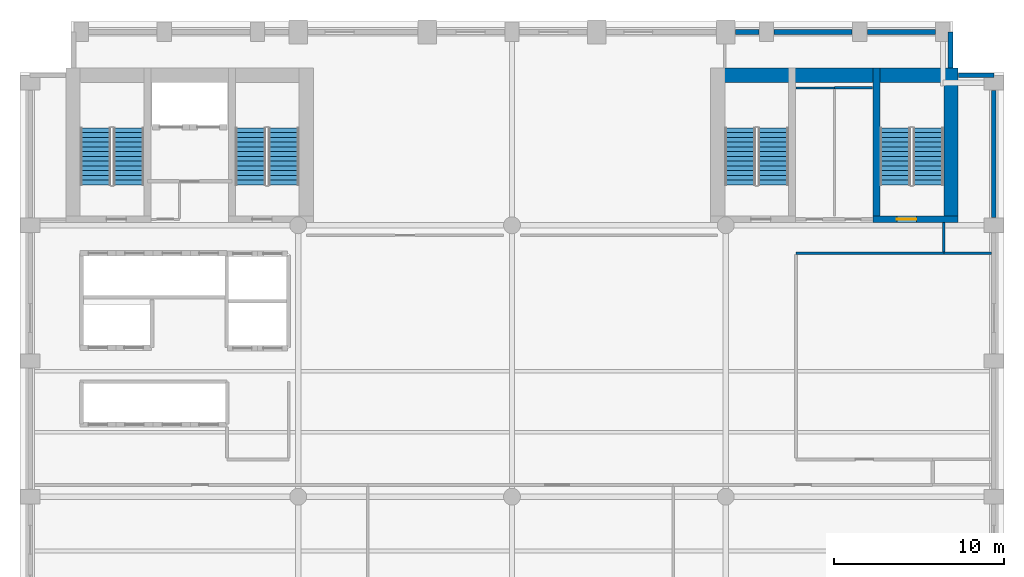
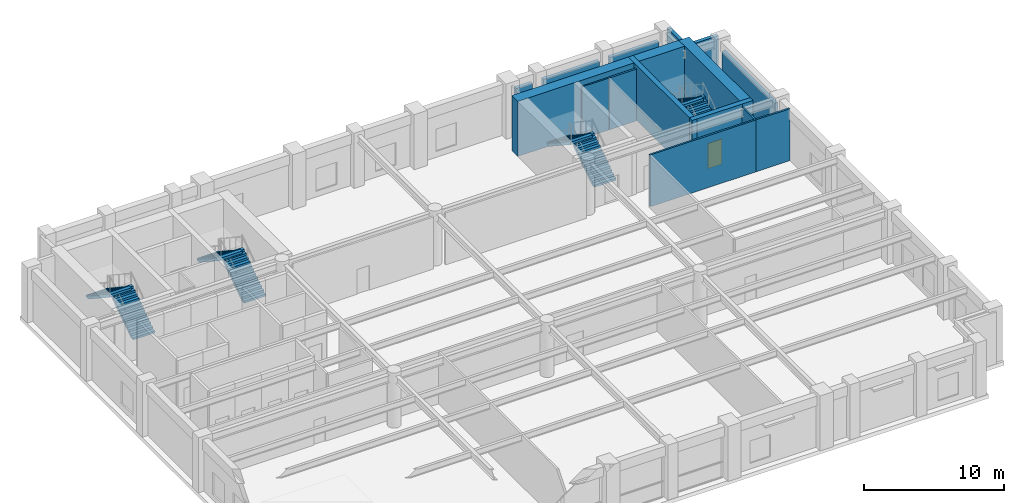
# One storey, part 7 of 10: 15 walls, 8 stair flights, 1 door, 1 opening, 4 elements without a shape of their own.
"""IFC4 building model written with IfcOpenShell, lengths in metres."""

from ifc_helpers import new_model, si_unit, direction, frame, frame_2d, origin, place, context, subcontext, project, spatial, polyline, rectangle, outline, extrude, material, layer, layer_set, type_object, element, fill, aggregate, save


model = new_model("IFC4")

# Units and contexts
model_context = context("Model", 3, precision=1e-05, world=origin(), true_north=direction((0.0, 1.0)))
body_context = subcontext(model_context, "Body", "Model", "MODEL_VIEW")
ifc_project = project(units=[si_unit("LENGTHUNIT", "METRE"), si_unit("AREAUNIT", "SQUARE_METRE"), si_unit("VOLUMEUNIT", "CUBIC_METRE"), si_unit("PLANEANGLEUNIT", "RADIAN"), si_unit("MASSUNIT", "GRAM", prefix="KILO")], contexts=[model_context])

# Site, building, storey
site_placement = place(None, origin())
site = spatial("IfcSite", under=ifc_project, at=site_placement, CompositionType="ELEMENT")
building_placement = place(site_placement, origin())
building = spatial("IfcBuilding", under=site, at=building_placement, Name="Sulina Concourse Tower", CompositionType="ELEMENT")
storey_placement = place(building_placement, frame((0.0, 0.0, 87.800048828125)))
storey = spatial("IfcBuildingStorey", under=building, at=storey_placement, Name="L21", CompositionType="ELEMENT", Elevation=87.800048828125)

# Walls
ifc_material_1 = material(Name="Gypsum board on steel stud", Category="steel")
ifc_layer_1 = layer(ifc_material_1, 0.14990234375)
ifc_layer_set_1 = layer_set([ifc_layer_1], Name="Gypsum board on steel stud")
wall_type_1 = type_object("IfcWallType", Name="Inter-Tenancy Acoustic Partition 150mm", PredefinedType="PARTITIONING", material=ifc_layer_set_1)
wall_1_placement = place(storey_placement, frame((45.75, 32.35009765625, 0.0), z_axis=(0.0, 0.0, 1.0), x_axis=(1.0, 0.0, 0.0)))
element("IfcWall", 1, at=wall_1_placement, inside=storey, type_object=wall_type_1, Name="L21 interior partition 008", PredefinedType="PARTITIONING", context=body_context, shape_type="SweptSolid", body=[
    extrude(rectangle(XDim=8.699951171875, YDim=0.14990234375, at=frame_2d((4.35009765625, 0.0))), origin(), (0.0, 0.0, 1.0), 4.52490234375),
])
wall_2_placement = place(storey_placement, frame((54.449951171875, 32.35009765625, 0.0), z_axis=(0.0, 0.0, 1.0), x_axis=(1.0, 0.0, 0.0)))
element("IfcWall", 2, at=wall_2_placement, inside=storey, type_object=wall_type_1, Name="L21 interior partition 009", PredefinedType="PARTITIONING", context=body_context, shape_type="SweptSolid", body=[
    extrude(rectangle(XDim=2.81005859375, YDim=0.14990234375, at=frame_2d((1.405029296875, 0.0))), origin(), (0.0, 0.0, 1.0), 4.52490234375),
])
wall_3_placement = place(storey_placement, frame((48.0, 42.10009765625, 0.0), z_axis=(0.0, 0.0, 1.0), x_axis=(1.0, 0.0, 0.0)))
element("IfcWall", 3, at=wall_3_placement, inside=storey, type_object=wall_type_1, Name="L21 interior partition 015", PredefinedType="PARTITIONING", context=body_context, shape_type="SweptSolid", body=[
    extrude(rectangle(XDim=2.25, YDim=0.14990234375, at=frame_2d((1.125, 0.0))), origin(), (0.0, 0.0, 1.0), 4.52490234375),
])
wall_4_placement = place(storey_placement, frame((54.449951171875, 32.425048828125, 0.0), z_axis=(0.0, 0.0, 1.0), x_axis=(0.0, 1.0, 0.0)))
element("IfcWall", 4, at=wall_4_placement, inside=storey, type_object=wall_type_1, Name="L21 interior partition 025", PredefinedType="PARTITIONING", context=body_context, shape_type="SweptSolid", body=[
    extrude(rectangle(XDim=1.724853515625, YDim=0.14990234375, at=frame_2d((0.8623046875, 0.0))), origin(), (0.0, 0.0, 1.0), 4.52490234375),
])

# Wall, opening, door
ifc_material_2 = material(Name="Concrete C60/75", Category="concrete")
ifc_layer_2 = layer(ifc_material_2, 0.39990234375)
ifc_layer_set_2 = layer_set([ifc_layer_2], Name="Concrete C60/75")
wall_type_2 = type_object("IfcWallType", Name="Protected Stair Core Shear Wall 400mm", PredefinedType="SHEAR", material=ifc_layer_set_2)
wall_5_placement = place(storey_placement, frame((50.2900390625, 34.35009765625, 0.0), z_axis=(0.0, 0.0, 1.0), x_axis=(1.0, 0.0, 0.0)))
wall_5 = element("IfcWall", 5, at=wall_5_placement, inside=storey, type_object=wall_type_2, Name="L21 east core shear wall CW-ES2", PredefinedType="SHEAR", context=body_context, shape_type="SweptSolid", body=[
    extrude(rectangle(XDim=5.010009765625, YDim=0.39990234375, at=frame_2d((2.5048828125, 0.0))), origin(), (0.0, 0.0, 1.0), 4.800048828125),
])
opening_placement = place(wall_5_placement, frame((1.39990234375, 0.0, 0.0)))
opening = element("IfcOpeningElement", 6, at=opening_placement, cuts=wall_5, Name="Opening DR-60", PredefinedType="OPENING", context=body_context, shape_type="SweptSolid", body=[
    extrude(rectangle(XDim=1.14990234375, YDim=2.199951171875, at=frame_2d((0.574951171875, 1.10009765625))), frame((0.0, 0.2099609375, 0.0), z_axis=(0.0, -1.0, 0.0), x_axis=(1.0, 0.0, 0.0)), (0.0, 0.0, 1.0), 0.419921875),
])
ifc_material_3 = material(Name="Galvanised steel acoustic fire leaf", Category="steel")
ifc_layer_3 = layer(ifc_material_3, 0.054931640625)
ifc_layer_set_3 = layer_set([ifc_layer_3], Name="Galvanised steel acoustic fire leaf")
door_type = type_object("IfcDoorType", Name="Protected Exit Stair Fire Door 1150x2200", OperationType="NOTDEFINED", PredefinedType="DOOR", material=ifc_layer_set_3)
door_placement = place(opening_placement, origin())
door = element("IfcDoor", 7, at=door_placement, inside=storey, type_object=door_type, Name="L21 stair ST-4 south lobby fire door", OperationType="SINGLE_SWING_RIGHT", OverallHeight=2.199951171875, OverallWidth=1.14990234375, PredefinedType="DOOR", context=body_context, shape_type="SweptSolid", body=[
    extrude(rectangle(XDim=1.14990234375, YDim=2.199951171875, at=frame_2d((0.574951171875, 1.10009765625))), frame((0.0, 0.02490234375, 0.0), z_axis=(0.0, -1.0, 0.0), x_axis=(1.0, 0.0, 0.0)), (0.0, 0.0, 1.0), 0.050048828125),
])
fill(opening, door)

# Walls
wall_6_placement = place(storey_placement, frame((50.489990234375, 34.14990234375, 0.0), z_axis=(0.0, 0.0, 1.0), x_axis=(0.0, 1.0, 0.0)))
element("IfcWall", 8, at=wall_6_placement, inside=storey, type_object=wall_type_2, Name="L21 east core shear wall SW-ST4", PredefinedType="SHEAR", context=body_context, shape_type="SweptSolid", body=[
    extrude(rectangle(XDim=9.130126953125, YDim=0.39990234375, at=frame_2d((4.56494140625, 0.0))), origin(), (0.0, 0.0, 1.0), 4.800048828125),
])
ifc_material_4 = material(Name="Concrete C60/75", Category="concrete")
ifc_layer_4 = layer(ifc_material_4, 0.85009765625)
ifc_layer_set_4 = layer_set([ifc_layer_4], Name="Concrete C60/75")
wall_type_3 = type_object("IfcWallType", Name="Rear Core Shear Wall 850mm", PredefinedType="SHEAR", material=ifc_layer_set_4)
wall_7_placement = place(storey_placement, frame((40.699951171875, 42.85498046875, 0.0), z_axis=(0.0, 0.0, 1.0), x_axis=(1.0, 0.0, 0.0)))
element("IfcWall", 9, at=wall_7_placement, inside=storey, type_object=wall_type_3, Name="L21 east core shear wall CW-EN", PredefinedType="SHEAR", context=body_context, shape_type="SweptSolid", body=[
    extrude(rectangle(XDim=14.60009765625, YDim=0.85009765625, at=frame_2d((7.300048828125, 0.0))), origin(), (0.0, 0.0, 1.0), 4.800048828125),
])
wall_8_placement = place(storey_placement, frame((54.875, 34.14990234375, 0.0), z_axis=(0.0, 0.0, 1.0), x_axis=(0.0, 1.0, 0.0)))
element("IfcWall", 10, at=wall_8_placement, inside=storey, type_object=wall_type_3, Name="L21 east core shear wall CW-EE", PredefinedType="SHEAR", context=body_context, shape_type="SweptSolid", body=[
    extrude(rectangle(XDim=9.130126953125, YDim=0.85009765625, at=frame_2d((4.56494140625, 0.0))), origin(), (0.0, 0.0, 1.0), 4.800048828125),
])
ifc_material_5 = material(Name="Precast concrete C50/60", Category="concrete")
ifc_layer_5 = layer(ifc_material_5, 0.280029296875)
ifc_layer_set_5 = layer_set([ifc_layer_5], Name="Precast concrete C50/60")
wall_type_4 = type_object("IfcWallType", Name="Typical Precast Masonry-Frame Facade Wall 280mm", PredefinedType="SOLIDWALL", material=ifc_layer_set_5)
wall_9_placement = place(storey_placement, frame((42.169921875, 45.39990234375, 0.0), z_axis=(0.0, 0.0, 1.0), x_axis=(1.0, 0.0, 0.0)))
element("IfcWall", 11, at=wall_9_placement, inside=storey, type_object=wall_type_4, Name="L21 exterior precast wall N8", PredefinedType="SOLIDWALL", context=body_context, shape_type="SweptSolid", body=[
    extrude(rectangle(XDim=1.385009765625, YDim=0.280029296875, at=frame_2d((0.6923828125, 0.0))), origin(), (0.0, 0.0, 1.0), 3.675048828125),
])
wall_10_placement = place(storey_placement, frame((44.445068359375, 45.39990234375, 0.0), z_axis=(0.0, 0.0, 1.0), x_axis=(1.0, 0.0, 0.0)))
element("IfcWall", 12, at=wall_10_placement, inside=storey, type_object=wall_type_4, Name="L21 exterior precast wall N9", PredefinedType="SOLIDWALL", context=body_context, shape_type="SweptSolid", body=[
    extrude(rectangle(XDim=4.60986328125, YDim=0.280029296875, at=frame_2d((2.304931640625, 0.0))), origin(), (0.0, 0.0, 1.0), 3.675048828125),
])
wall_11_placement = place(storey_placement, frame((49.945068359375, 45.39990234375, 0.0), z_axis=(0.0, 0.0, 1.0), x_axis=(1.0, 0.0, 0.0)))
element("IfcWall", 13, at=wall_11_placement, inside=storey, type_object=wall_type_4, Name="L21 exterior precast wall N10", PredefinedType="SOLIDWALL", context=body_context, shape_type="SweptSolid", body=[
    extrude(rectangle(XDim=4.010009765625, YDim=0.280029296875, at=frame_2d((2.0048828125, 0.0))), origin(), (0.0, 0.0, 1.0), 3.675048828125),
])
wall_12_placement = place(storey_placement, frame((57.39990234375, 41.955078125, 0.0), z_axis=(0.0, 0.0, 1.0), x_axis=(0.0, -1.0, 0.0)))
element("IfcWall", 14, at=wall_12_placement, inside=storey, type_object=wall_type_4, Name="L21 exterior precast wall E5", PredefinedType="SOLIDWALL", context=body_context, shape_type="SweptSolid", body=[
    extrude(rectangle(XDim=7.510009765625, YDim=0.280029296875, at=frame_2d((3.7548828125, 0.0))), origin(), (0.0, 0.0, 1.0), 3.675048828125),
])
wall_13_placement = place(storey_placement, frame((54.844970703125, 45.39990234375, 0.0), z_axis=(0.0, 0.0, 1.0), x_axis=(0.0, -1.0, 0.0)))
element("IfcWall", 15, at=wall_13_placement, inside=storey, type_object=wall_type_4, Name="L21 exterior precast wall CNE1", PredefinedType="SOLIDWALL", context=body_context, shape_type="SweptSolid", body=[
    extrude(rectangle(XDim=2.114990234375, YDim=0.280029296875, at=frame_2d((1.0576171875, 0.0))), origin(), (0.0, 0.0, 1.0), 4.52490234375),
])
wall_14_placement = place(storey_placement, frame((55.304931640625, 42.844970703125, 0.0), z_axis=(0.0, 0.0, 1.0), x_axis=(1.0, 0.0, 0.0)))
element("IfcWall", 16, at=wall_14_placement, inside=storey, type_object=wall_type_4, Name="L21 exterior precast wall CNE2", PredefinedType="SOLIDWALL", context=body_context, shape_type="SweptSolid", body=[
    extrude(rectangle(XDim=2.094970703125, YDim=0.280029296875, at=frame_2d((1.04736328125, 0.0))), origin(), (0.0, 0.0, 1.0), 4.52490234375),
])
ifc_material_6 = material(Name="Gypsum board on steel stud", Category="steel")
ifc_layer_6 = layer(ifc_material_6, 0.125)
ifc_layer_set_6 = layer_set([ifc_layer_6], Name="Gypsum board on steel stud")
wall_type_5 = type_object("IfcWallType", Name="Wet-Area Moisture-Resistant Partition 125mm", PredefinedType="PARTITIONING", material=ifc_layer_set_6)
wall_15_placement = place(storey_placement, frame((45.75, 42.10009765625, 0.0), z_axis=(0.0, 0.0, 1.0), x_axis=(1.0, 0.0, 0.0)))
element("IfcWall", 17, at=wall_15_placement, inside=storey, type_object=wall_type_5, Name="L21 interior partition 014", PredefinedType="PARTITIONING", context=body_context, shape_type="SweptSolid", body=[
    extrude(rectangle(XDim=2.25, YDim=0.125, at=frame_2d((1.125, 0.0))), origin(), (0.0, 0.0, 1.0), 4.52490234375),
])

# Stair, stair flights
ifc_material_7 = material(Name="Concrete C50/60", Category="concrete")
stair_type_1 = type_object("IfcStairType", Name="Portal & Podium Core Exit Stair 1820mm", PredefinedType="HALF_TURN_STAIR", material=ifc_material_7)
stair_1_placement = place(storey_placement, origin())
stair_1 = element("IfcStair", 18, at=stair_1_placement, inside=storey, type_object=stair_type_1, Name="L21 ST-3", PredefinedType="HALF_TURN_STAIR")
ifc_material_8 = material(Name="Concrete C50/60", Category="concrete")
stair_flight_type_1 = type_object("IfcStairFlightType", Name="Portal & Podium Core Exit Stair 1820mm Flight", PredefinedType="STRAIGHT", material=ifc_material_8)
stair_flight_1_placement = place(storey_placement, frame((44.405029296875, 36.375, 0.0), z_axis=(0.0, 0.0, 1.0), x_axis=(0.0, 1.0, 0.0)))
stair_flight_1 = element("IfcStairFlight", 19, at=stair_flight_1_placement, type_object=stair_flight_type_1, Name="ST-3 flight 1", NumberOfRisers=13, NumberOfTreads=12, PredefinedType="STRAIGHT", RiserHeight=0.184615385, TreadLength=0.28, context=body_context, shape_type="SweptSolid", body=[
    extrude(outline(polyline([(0.0, 0.0), (0.0, 0.1845703125), (0.280029296875, 0.1845703125), (0.280029296875, 0.369140625), (0.56005859375, 0.369140625), (0.56005859375, 0.553955078125), (0.840087890625, 0.553955078125), (0.840087890625, 0.738525390625), (1.1201171875, 0.738525390625), (1.1201171875, 0.923095703125), (1.39990234375, 0.923095703125), (1.39990234375, 1.107666015625), (1.679931640625, 1.107666015625), (1.679931640625, 1.292236328125), (1.9599609375, 1.292236328125), (1.9599609375, 1.476806640625), (2.239990234375, 1.476806640625), (2.239990234375, 1.66162109375), (2.52001953125, 1.66162109375), (2.52001953125, 1.84619140625), (2.800048828125, 1.84619140625), (2.800048828125, 2.03076171875), (3.080078125, 2.03076171875), (3.080078125, 2.21533203125), (3.360107421875, 2.21533203125), (3.360107421875, 2.39990234375), (3.360107421875, 1.999755859375), (0.326904296875, 0.0), (0.0, 0.0)])), frame((0.0, 0.89990234375, 0.0), z_axis=(0.0, -1.0, 0.0), x_axis=(1.0, 0.0, 0.0)), (0.0, 0.0, 1.0), 1.800048828125),
])
stair_flight_2_placement = place(storey_placement, frame((42.455078125, 39.735107421875, 2.39990234375), z_axis=(0.0, 0.0, 1.0), x_axis=(0.0, -1.0, 0.0)))
stair_flight_2 = element("IfcStairFlight", 20, at=stair_flight_2_placement, type_object=stair_flight_type_1, Name="ST-3 flight 2", NumberOfRisers=13, NumberOfTreads=12, PredefinedType="STRAIGHT", RiserHeight=0.184615385, TreadLength=0.28, context=body_context, shape_type="SweptSolid", body=[
    extrude(outline(polyline([(0.0, 0.0), (0.0, 0.1845703125), (0.280029296875, 0.1845703125), (0.280029296875, 0.369140625), (0.56005859375, 0.369140625), (0.56005859375, 0.553955078125), (0.840087890625, 0.553955078125), (0.840087890625, 0.738525390625), (1.1201171875, 0.738525390625), (1.1201171875, 0.923095703125), (1.39990234375, 0.923095703125), (1.39990234375, 1.107666015625), (1.679931640625, 1.107666015625), (1.679931640625, 1.292236328125), (1.9599609375, 1.292236328125), (1.9599609375, 1.476806640625), (2.239990234375, 1.476806640625), (2.239990234375, 1.66162109375), (2.52001953125, 1.66162109375), (2.52001953125, 1.84619140625), (2.800048828125, 1.84619140625), (2.800048828125, 2.03076171875), (3.080078125, 2.03076171875), (3.080078125, 2.21533203125), (3.360107421875, 2.21533203125), (3.360107421875, 2.39990234375), (3.360107421875, 1.999755859375), (0.326904296875, 0.0), (0.0, 0.0)])), frame((0.0, 0.89990234375, 0.0), z_axis=(0.0, -1.0, 0.0), x_axis=(1.0, 0.0, 0.0)), (0.0, 0.0, 1.0), 1.800048828125),
])
aggregate(stair_1, [stair_flight_1, stair_flight_2])

stair_2_placement = place(storey_placement, origin())
stair_2 = element("IfcStair", 21, at=stair_2_placement, inside=storey, type_object=stair_type_1, Name="L21 ST-4", PredefinedType="HALF_TURN_STAIR")
stair_flight_3_placement = place(storey_placement, frame((53.544921875, 36.375, 0.0), z_axis=(0.0, 0.0, 1.0), x_axis=(0.0, 1.0, 0.0)))
stair_flight_3 = element("IfcStairFlight", 22, at=stair_flight_3_placement, type_object=stair_flight_type_1, Name="ST-4 flight 1", NumberOfRisers=13, NumberOfTreads=12, PredefinedType="STRAIGHT", RiserHeight=0.184615385, TreadLength=0.28, context=body_context, shape_type="SweptSolid", body=[
    extrude(outline(polyline([(0.0, 0.0), (0.0, 0.1845703125), (0.280029296875, 0.1845703125), (0.280029296875, 0.369140625), (0.56005859375, 0.369140625), (0.56005859375, 0.553955078125), (0.840087890625, 0.553955078125), (0.840087890625, 0.738525390625), (1.1201171875, 0.738525390625), (1.1201171875, 0.923095703125), (1.39990234375, 0.923095703125), (1.39990234375, 1.107666015625), (1.679931640625, 1.107666015625), (1.679931640625, 1.292236328125), (1.9599609375, 1.292236328125), (1.9599609375, 1.476806640625), (2.239990234375, 1.476806640625), (2.239990234375, 1.66162109375), (2.52001953125, 1.66162109375), (2.52001953125, 1.84619140625), (2.800048828125, 1.84619140625), (2.800048828125, 2.03076171875), (3.080078125, 2.03076171875), (3.080078125, 2.21533203125), (3.360107421875, 2.21533203125), (3.360107421875, 2.39990234375), (3.360107421875, 1.999755859375), (0.326904296875, 0.0), (0.0, 0.0)])), frame((0.0, 0.89990234375, 0.0), z_axis=(0.0, -1.0, 0.0), x_axis=(1.0, 0.0, 0.0)), (0.0, 0.0, 1.0), 1.800048828125),
])
stair_flight_4_placement = place(storey_placement, frame((51.594970703125, 39.735107421875, 2.39990234375), z_axis=(0.0, 0.0, 1.0), x_axis=(0.0, -1.0, 0.0)))
stair_flight_4 = element("IfcStairFlight", 23, at=stair_flight_4_placement, type_object=stair_flight_type_1, Name="ST-4 flight 2", NumberOfRisers=13, NumberOfTreads=12, PredefinedType="STRAIGHT", RiserHeight=0.184615385, TreadLength=0.28, context=body_context, shape_type="SweptSolid", body=[
    extrude(outline(polyline([(0.0, 0.0), (0.0, 0.1845703125), (0.280029296875, 0.1845703125), (0.280029296875, 0.369140625), (0.56005859375, 0.369140625), (0.56005859375, 0.553955078125), (0.840087890625, 0.553955078125), (0.840087890625, 0.738525390625), (1.1201171875, 0.738525390625), (1.1201171875, 0.923095703125), (1.39990234375, 0.923095703125), (1.39990234375, 1.107666015625), (1.679931640625, 1.107666015625), (1.679931640625, 1.292236328125), (1.9599609375, 1.292236328125), (1.9599609375, 1.476806640625), (2.239990234375, 1.476806640625), (2.239990234375, 1.66162109375), (2.52001953125, 1.66162109375), (2.52001953125, 1.84619140625), (2.800048828125, 1.84619140625), (2.800048828125, 2.03076171875), (3.080078125, 2.03076171875), (3.080078125, 2.21533203125), (3.360107421875, 2.21533203125), (3.360107421875, 2.39990234375), (3.360107421875, 1.999755859375), (0.326904296875, 0.0), (0.0, 0.0)])), frame((0.0, 0.89990234375, 0.0), z_axis=(0.0, -1.0, 0.0), x_axis=(1.0, 0.0, 0.0)), (0.0, 0.0, 1.0), 1.800048828125),
])
aggregate(stair_2, [stair_flight_3, stair_flight_4])

ifc_material_9 = material(Name="Concrete C50/60", Category="concrete")
stair_type_2 = type_object("IfcStairType", Name="Primary Core Dog-Leg Exit Stair 1800mm", PredefinedType="HALF_TURN_STAIR", material=ifc_material_9)
stair_3_placement = place(storey_placement, origin())
stair_3 = element("IfcStair", 24, at=stair_3_placement, inside=storey, type_object=stair_type_2, Name="L21 ST-1", PredefinedType="HALF_TURN_STAIR")
ifc_material_10 = material(Name="Concrete C50/60", Category="concrete")
stair_flight_type_2 = type_object("IfcStairFlightType", Name="Primary Core Dog-Leg Exit Stair 1800mm Flight", PredefinedType="STRAIGHT", material=ifc_material_10)
stair_flight_5_placement = place(storey_placement, frame((6.405029296875, 36.375, 0.0), z_axis=(0.0, 0.0, 1.0), x_axis=(0.0, 1.0, 0.0)))
stair_flight_5 = element("IfcStairFlight", 25, at=stair_flight_5_placement, type_object=stair_flight_type_2, Name="ST-1 flight 1", NumberOfRisers=13, NumberOfTreads=12, PredefinedType="STRAIGHT", RiserHeight=0.184615385, TreadLength=0.28, context=body_context, shape_type="SweptSolid", body=[
    extrude(outline(polyline([(0.0, 0.0), (0.0, 0.1845703125), (0.280029296875, 0.1845703125), (0.280029296875, 0.369140625), (0.56005859375, 0.369140625), (0.56005859375, 0.553955078125), (0.840087890625, 0.553955078125), (0.840087890625, 0.738525390625), (1.1201171875, 0.738525390625), (1.1201171875, 0.923095703125), (1.39990234375, 0.923095703125), (1.39990234375, 1.107666015625), (1.679931640625, 1.107666015625), (1.679931640625, 1.292236328125), (1.9599609375, 1.292236328125), (1.9599609375, 1.476806640625), (2.239990234375, 1.476806640625), (2.239990234375, 1.66162109375), (2.52001953125, 1.66162109375), (2.52001953125, 1.84619140625), (2.800048828125, 1.84619140625), (2.800048828125, 2.03076171875), (3.080078125, 2.03076171875), (3.080078125, 2.21533203125), (3.360107421875, 2.21533203125), (3.360107421875, 2.39990234375), (3.360107421875, 1.999755859375), (0.326904296875, 0.0), (0.0, 0.0)])), frame((0.0, 0.89990234375, 0.0), z_axis=(0.0, -1.0, 0.0), x_axis=(1.0, 0.0, 0.0)), (0.0, 0.0, 1.0), 1.800048828125),
])
stair_flight_6_placement = place(storey_placement, frame((4.455078125, 39.735107421875, 2.39990234375), z_axis=(0.0, 0.0, 1.0), x_axis=(0.0, -1.0, 0.0)))
stair_flight_6 = element("IfcStairFlight", 26, at=stair_flight_6_placement, type_object=stair_flight_type_2, Name="ST-1 flight 2", NumberOfRisers=13, NumberOfTreads=12, PredefinedType="STRAIGHT", RiserHeight=0.184615385, TreadLength=0.28, context=body_context, shape_type="SweptSolid", body=[
    extrude(outline(polyline([(0.0, 0.0), (0.0, 0.1845703125), (0.280029296875, 0.1845703125), (0.280029296875, 0.369140625), (0.56005859375, 0.369140625), (0.56005859375, 0.553955078125), (0.840087890625, 0.553955078125), (0.840087890625, 0.738525390625), (1.1201171875, 0.738525390625), (1.1201171875, 0.923095703125), (1.39990234375, 0.923095703125), (1.39990234375, 1.107666015625), (1.679931640625, 1.107666015625), (1.679931640625, 1.292236328125), (1.9599609375, 1.292236328125), (1.9599609375, 1.476806640625), (2.239990234375, 1.476806640625), (2.239990234375, 1.66162109375), (2.52001953125, 1.66162109375), (2.52001953125, 1.84619140625), (2.800048828125, 1.84619140625), (2.800048828125, 2.03076171875), (3.080078125, 2.03076171875), (3.080078125, 2.21533203125), (3.360107421875, 2.21533203125), (3.360107421875, 2.39990234375), (3.360107421875, 1.999755859375), (0.326904296875, 0.0), (0.0, 0.0)])), frame((0.0, 0.89990234375, 0.0), z_axis=(0.0, -1.0, 0.0), x_axis=(1.0, 0.0, 0.0)), (0.0, 0.0, 1.0), 1.800048828125),
])
aggregate(stair_3, [stair_flight_5, stair_flight_6])

stair_4_placement = place(storey_placement, origin())
stair_4 = element("IfcStair", 27, at=stair_4_placement, inside=storey, type_object=stair_type_2, Name="L21 ST-2", PredefinedType="HALF_TURN_STAIR")
stair_flight_7_placement = place(storey_placement, frame((15.544921875, 36.375, 0.0), z_axis=(0.0, 0.0, 1.0), x_axis=(0.0, 1.0, 0.0)))
stair_flight_7 = element("IfcStairFlight", 28, at=stair_flight_7_placement, type_object=stair_flight_type_2, Name="ST-2 flight 1", NumberOfRisers=13, NumberOfTreads=12, PredefinedType="STRAIGHT", RiserHeight=0.184615385, TreadLength=0.28, context=body_context, shape_type="SweptSolid", body=[
    extrude(outline(polyline([(0.0, 0.0), (0.0, 0.1845703125), (0.280029296875, 0.1845703125), (0.280029296875, 0.369140625), (0.56005859375, 0.369140625), (0.56005859375, 0.553955078125), (0.840087890625, 0.553955078125), (0.840087890625, 0.738525390625), (1.1201171875, 0.738525390625), (1.1201171875, 0.923095703125), (1.39990234375, 0.923095703125), (1.39990234375, 1.107666015625), (1.679931640625, 1.107666015625), (1.679931640625, 1.292236328125), (1.9599609375, 1.292236328125), (1.9599609375, 1.476806640625), (2.239990234375, 1.476806640625), (2.239990234375, 1.66162109375), (2.52001953125, 1.66162109375), (2.52001953125, 1.84619140625), (2.800048828125, 1.84619140625), (2.800048828125, 2.03076171875), (3.080078125, 2.03076171875), (3.080078125, 2.21533203125), (3.360107421875, 2.21533203125), (3.360107421875, 2.39990234375), (3.360107421875, 1.999755859375), (0.326904296875, 0.0), (0.0, 0.0)])), frame((0.0, 0.89990234375, 0.0), z_axis=(0.0, -1.0, 0.0), x_axis=(1.0, 0.0, 0.0)), (0.0, 0.0, 1.0), 1.800048828125),
])
stair_flight_8_placement = place(storey_placement, frame((13.594970703125, 39.735107421875, 2.39990234375), z_axis=(0.0, 0.0, 1.0), x_axis=(0.0, -1.0, 0.0)))
stair_flight_8 = element("IfcStairFlight", 29, at=stair_flight_8_placement, type_object=stair_flight_type_2, Name="ST-2 flight 2", NumberOfRisers=13, NumberOfTreads=12, PredefinedType="STRAIGHT", RiserHeight=0.184615385, TreadLength=0.28, context=body_context, shape_type="SweptSolid", body=[
    extrude(outline(polyline([(0.0, 0.0), (0.0, 0.1845703125), (0.280029296875, 0.1845703125), (0.280029296875, 0.369140625), (0.56005859375, 0.369140625), (0.56005859375, 0.553955078125), (0.840087890625, 0.553955078125), (0.840087890625, 0.738525390625), (1.1201171875, 0.738525390625), (1.1201171875, 0.923095703125), (1.39990234375, 0.923095703125), (1.39990234375, 1.107666015625), (1.679931640625, 1.107666015625), (1.679931640625, 1.292236328125), (1.9599609375, 1.292236328125), (1.9599609375, 1.476806640625), (2.239990234375, 1.476806640625), (2.239990234375, 1.66162109375), (2.52001953125, 1.66162109375), (2.52001953125, 1.84619140625), (2.800048828125, 1.84619140625), (2.800048828125, 2.03076171875), (3.080078125, 2.03076171875), (3.080078125, 2.21533203125), (3.360107421875, 2.21533203125), (3.360107421875, 2.39990234375), (3.360107421875, 1.999755859375), (0.326904296875, 0.0), (0.0, 0.0)])), frame((0.0, 0.89990234375, 0.0), z_axis=(0.0, -1.0, 0.0), x_axis=(1.0, 0.0, 0.0)), (0.0, 0.0, 1.0), 1.800048828125),
])
aggregate(stair_4, [stair_flight_7, stair_flight_8])

save(model, "model.ifc")
